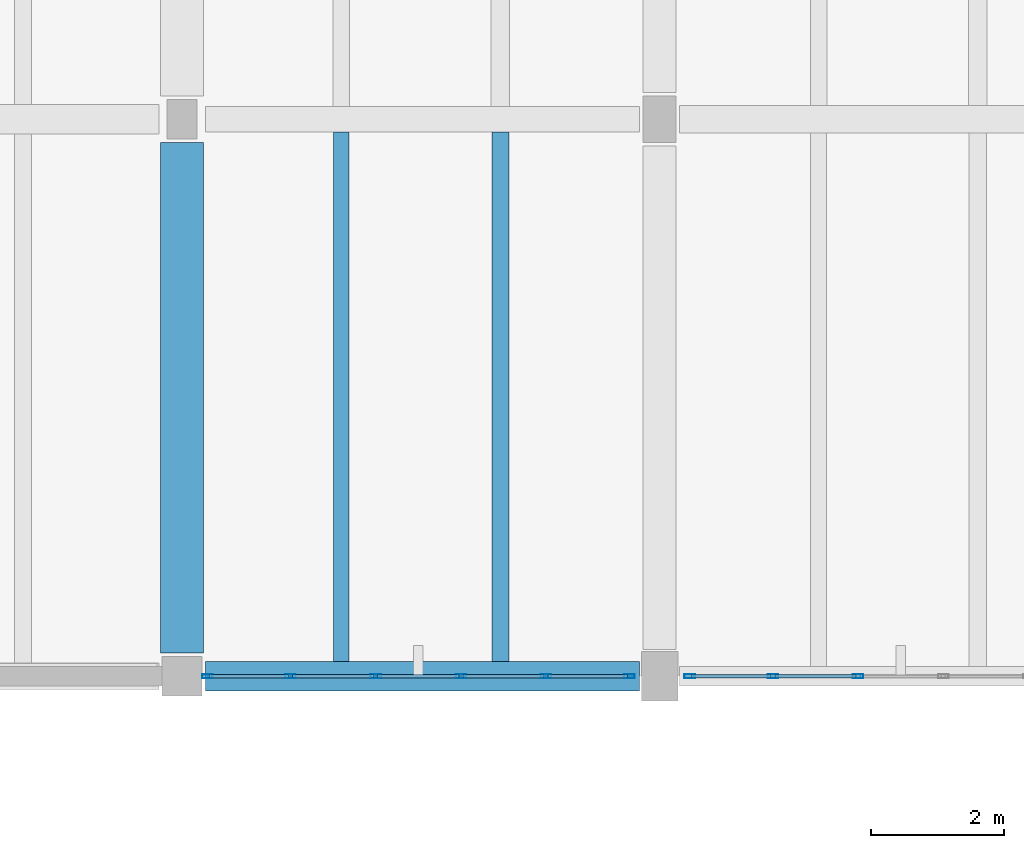
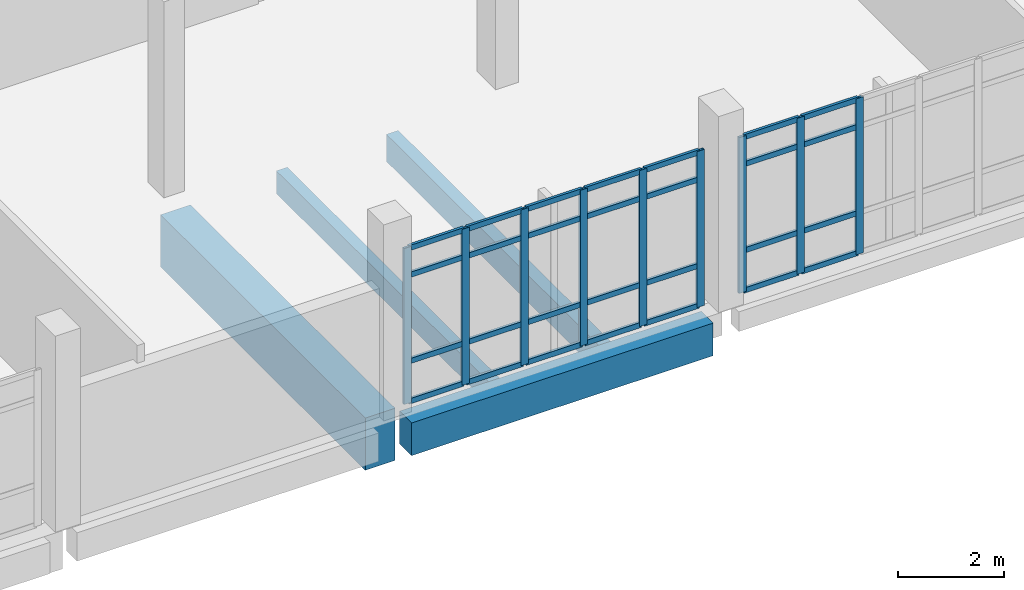
# One storey, part 33 of 62: 37 members, 4 beams, 2 elements without a shape of their own.
"""IFC4 building model written with IfcOpenShell, lengths in metres."""

from ifc_helpers import new_model, si_unit, direction, frame, origin, origin_2d, place, context, subcontext, project, spatial, rectangle, hollow_rectangle, extrude, material, material_profile, profile_set, type_object, element, aggregate, save


model = new_model("IFC4")

# Units and contexts
model_context = context("Model", 3, precision=1e-05, world=origin(), true_north=direction((0.0, 1.0)))
body_context = subcontext(model_context, "Body", "Model", "MODEL_VIEW")
ifc_project = project(units=[si_unit("LENGTHUNIT", "METRE"), si_unit("AREAUNIT", "SQUARE_METRE"), si_unit("VOLUMEUNIT", "CUBIC_METRE"), si_unit("PLANEANGLEUNIT", "RADIAN"), si_unit("MASSUNIT", "GRAM", prefix="KILO")], contexts=[model_context])

# Site, building, storey
site_placement = place(None, origin())
site = spatial("IfcSite", under=ifc_project, at=site_placement, CompositionType="ELEMENT")
building_placement = place(site_placement, origin())
building = spatial("IfcBuilding", under=site, at=building_placement, Name="Kalluvel Institute of Natural Sciences", CompositionType="ELEMENT")
storey_placement = place(building_placement, frame((0.0, 0.0, 27.89990234375)))
storey = spatial("IfcBuildingStorey", under=building, at=storey_placement, Name="L06", CompositionType="ELEMENT", Elevation=27.89990234375)

# Beams
ifc_material_1 = material(Name="Concrete M40", Category="concrete")
ifc_material_profile_1 = material_profile(ifc_material_1, rectangle(XDim=0.449951171875, YDim=0.75, at=origin_2d()), Name="RCB 450x750")
ifc_profile_set_1 = profile_set([ifc_material_profile_1], Name="Concrete M40")
beam_type_1 = type_object("IfcBeamType", Name="BM-RC450x750", PredefinedType="BEAM", material=ifc_profile_set_1)
beam_1_placement = place(storey_placement, frame((79.14990234375, 102.800048828125, -0.69482421875), z_axis=(1.0, 0.0, 0.0), x_axis=(0.0, 1.0, 0.0)))
element("IfcBeam", 1, at=beam_1_placement, inside=storey, type_object=beam_type_1, Name="L06 girder GIR-L06-EW-X788-Y1028", PredefinedType="BEAM", context=body_context, shape_type="SweptSolid", body=[
    extrude(rectangle(XDim=0.449951171875, YDim=0.75, at=origin_2d()), origin(), (0.0, 0.0, 1.0), 6.550048828125),
])
ifc_material_2 = material(Name="Concrete M50", Category="concrete")
ifc_material_profile_2 = material_profile(ifc_material_2, rectangle(XDim=0.64990234375, YDim=1.199951171875, at=origin_2d()), Name="RCB 650x1200")
ifc_profile_set_2 = profile_set([ifc_material_profile_2], Name="Concrete M50")
beam_type_2 = type_object("IfcBeamType", Name="BM-RC650x1200", PredefinedType="BEAM", material=ifc_profile_set_2)
beam_2_placement = place(storey_placement, frame((78.800048828125, 103.14990234375, -0.919921875), z_axis=(0.0, 1.0, 0.0), x_axis=(-1.0, 0.0, 0.0)))
element("IfcBeam", 2, at=beam_2_placement, inside=storey, type_object=beam_type_2, Name="L06 girder GIR-L06-NS-X788-Y1028", PredefinedType="BEAM", context=body_context, shape_type="SweptSolid", body=[
    extrude(rectangle(XDim=0.64990234375, YDim=1.199951171875, at=origin_2d()), origin(), (0.0, 0.0, 1.0), 7.7001953125),
])

# Curtain wall, members
ifc_material_3 = material(Name="Aluminium AW-6063 T6", Category="aluminium")
curtain_wall_type = type_object("IfcCurtainWallType", Name="CW-WET-45", PredefinedType="USERDEFINED", material=ifc_material_3)
curtain_wall_1_placement = place(storey_placement, origin())
curtain_wall_1 = element("IfcCurtainWall", 3, at=curtain_wall_1_placement, inside=storey, type_object=curtain_wall_type, Name="L06 Gothic lancet curtain wall CWA-L06-X792-Y1028", ObjectType="UNITISED LANCET FACADE", PredefinedType="USERDEFINED")
ifc_material_profile_3 = material_profile(ifc_material_3, hollow_rectangle(XDim=0.06005859375, YDim=0.159912109375, WallThickness=0.00390625, at=origin_2d()), Name="CWM 60x160")
ifc_profile_set_3 = profile_set([ifc_material_profile_3], Name="Aluminium AW-6063 T6")
member_type_1 = type_object("IfcMemberType", Name="CWM-60x160", PredefinedType="MULLION", material=ifc_profile_set_3)
member_1_placement = place(storey_placement, frame((79.179931640625, 102.800048828125, 0.0), z_axis=(0.0, 0.0, 1.0), x_axis=(0.0, 1.0, 0.0)))
member_1 = element("IfcMember", 4, at=member_1_placement, type_object=member_type_1, Name="CW-01 mullion 1", PredefinedType="MULLION", context=body_context, shape_type="SweptSolid", body=[
    extrude(hollow_rectangle(XDim=0.06005859375, YDim=0.159912109375, WallThickness=0.00390625, at=origin_2d()), origin(), (0.0, 0.0, 1.0), 3.580078125),
])
member_2_placement = place(storey_placement, frame((80.43505859375, 102.800048828125, 0.0), z_axis=(0.0, 0.0, 1.0), x_axis=(0.0, 1.0, 0.0)))
member_2 = element("IfcMember", 5, at=member_2_placement, type_object=member_type_1, Name="CW-01 mullion 2", PredefinedType="MULLION", context=body_context, shape_type="SweptSolid", body=[
    extrude(hollow_rectangle(XDim=0.06005859375, YDim=0.159912109375, WallThickness=0.00390625, at=origin_2d()), origin(), (0.0, 0.0, 1.0), 3.580078125),
])
member_3_placement = place(storey_placement, frame((81.719970703125, 102.800048828125, 0.0), z_axis=(0.0, 0.0, 1.0), x_axis=(0.0, 1.0, 0.0)))
member_3 = element("IfcMember", 6, at=member_3_placement, type_object=member_type_1, Name="CW-01 mullion 3", PredefinedType="MULLION", context=body_context, shape_type="SweptSolid", body=[
    extrude(hollow_rectangle(XDim=0.06005859375, YDim=0.159912109375, WallThickness=0.00390625, at=origin_2d()), origin(), (0.0, 0.0, 1.0), 3.580078125),
])
member_4_placement = place(storey_placement, frame((83.0048828125, 102.800048828125, 0.0), z_axis=(0.0, 0.0, 1.0), x_axis=(0.0, 1.0, 0.0)))
member_4 = element("IfcMember", 7, at=member_4_placement, type_object=member_type_1, Name="CW-01 mullion 4", PredefinedType="MULLION", context=body_context, shape_type="SweptSolid", body=[
    extrude(hollow_rectangle(XDim=0.06005859375, YDim=0.159912109375, WallThickness=0.00390625, at=origin_2d()), origin(), (0.0, 0.0, 1.0), 3.580078125),
])
member_5_placement = place(storey_placement, frame((84.2900390625, 102.800048828125, 0.0), z_axis=(0.0, 0.0, 1.0), x_axis=(0.0, 1.0, 0.0)))
member_5 = element("IfcMember", 8, at=member_5_placement, type_object=member_type_1, Name="CW-01 mullion 5", PredefinedType="MULLION", context=body_context, shape_type="SweptSolid", body=[
    extrude(hollow_rectangle(XDim=0.06005859375, YDim=0.159912109375, WallThickness=0.00390625, at=origin_2d()), origin(), (0.0, 0.0, 1.0), 3.580078125),
])
member_6_placement = place(storey_placement, frame((85.544921875, 102.800048828125, 0.0), z_axis=(0.0, 0.0, 1.0), x_axis=(0.0, 1.0, 0.0)))
member_6 = element("IfcMember", 9, at=member_6_placement, type_object=member_type_1, Name="CW-01 mullion 6", PredefinedType="MULLION", context=body_context, shape_type="SweptSolid", body=[
    extrude(hollow_rectangle(XDim=0.06005859375, YDim=0.159912109375, WallThickness=0.00390625, at=origin_2d()), origin(), (0.0, 0.0, 1.0), 3.580078125),
])

curtain_wall_2_placement = place(storey_placement, origin())
curtain_wall_2 = element("IfcCurtainWall", 10, at=curtain_wall_2_placement, inside=storey, type_object=curtain_wall_type, Name="L06 Gothic lancet curtain wall CWA-L06-X864-Y1028", ObjectType="UNITISED LANCET FACADE", PredefinedType="USERDEFINED")
member_7_placement = place(storey_placement, frame((86.455078125, 102.800048828125, 0.0), z_axis=(0.0, 0.0, 1.0), x_axis=(0.0, 1.0, 0.0)))
member_7 = element("IfcMember", 11, at=member_7_placement, type_object=member_type_1, Name="CW-01 mullion 1", PredefinedType="MULLION", context=body_context, shape_type="SweptSolid", body=[
    extrude(hollow_rectangle(XDim=0.06005859375, YDim=0.159912109375, WallThickness=0.00390625, at=origin_2d()), origin(), (0.0, 0.0, 1.0), 3.580078125),
])
member_8_placement = place(storey_placement, frame((87.7099609375, 102.800048828125, 0.0), z_axis=(0.0, 0.0, 1.0), x_axis=(0.0, 1.0, 0.0)))
member_8 = element("IfcMember", 12, at=member_8_placement, type_object=member_type_1, Name="CW-01 mullion 2", PredefinedType="MULLION", context=body_context, shape_type="SweptSolid", body=[
    extrude(hollow_rectangle(XDim=0.06005859375, YDim=0.159912109375, WallThickness=0.00390625, at=origin_2d()), origin(), (0.0, 0.0, 1.0), 3.580078125),
])
member_9_placement = place(storey_placement, frame((88.9951171875, 102.800048828125, 0.0), z_axis=(0.0, 0.0, 1.0), x_axis=(0.0, 1.0, 0.0)))
member_9 = element("IfcMember", 13, at=member_9_placement, type_object=member_type_1, Name="CW-01 mullion 3", PredefinedType="MULLION", context=body_context, shape_type="SweptSolid", body=[
    extrude(hollow_rectangle(XDim=0.06005859375, YDim=0.159912109375, WallThickness=0.00390625, at=origin_2d()), origin(), (0.0, 0.0, 1.0), 3.580078125),
])

# Member
ifc_material_profile_4 = material_profile(ifc_material_3, hollow_rectangle(XDim=0.06005859375, YDim=0.1201171875, WallThickness=0.00390625, at=origin_2d()), Name="CWT 60x120")
ifc_profile_set_4 = profile_set([ifc_material_profile_4], Name="Aluminium AW-6063 T6")
member_type_2 = type_object("IfcMemberType", Name="CWT-60x120", PredefinedType="USERDEFINED", material=ifc_profile_set_4)
member_10_placement = place(storey_placement, frame((79.2099609375, 102.800048828125, 0.030029296875), z_axis=(1.0, 0.0, 0.0), x_axis=(0.0, 1.0, 0.0)))
member_10 = element("IfcMember", 14, at=member_10_placement, type_object=member_type_2, Name="CW-01 transom 1.1", ObjectType="TRANSOM", PredefinedType="USERDEFINED", context=body_context, shape_type="SweptSolid", body=[
    extrude(hollow_rectangle(XDim=0.06005859375, YDim=0.1201171875, WallThickness=0.00390625, at=origin_2d()), origin(), (0.0, 0.0, 1.0), 1.195068359375),
])

member_11_placement = place(storey_placement, frame((79.2099609375, 102.800048828125, 0.9501953125), z_axis=(1.0, 0.0, 0.0), x_axis=(0.0, 1.0, 0.0)))
member_11 = element("IfcMember", 15, at=member_11_placement, type_object=member_type_2, Name="CW-01 transom 1.2", ObjectType="TRANSOM", PredefinedType="USERDEFINED", context=body_context, shape_type="SweptSolid", body=[
    extrude(hollow_rectangle(XDim=0.06005859375, YDim=0.1201171875, WallThickness=0.00390625, at=origin_2d()), origin(), (0.0, 0.0, 1.0), 1.195068359375),
])

member_12_placement = place(storey_placement, frame((79.2099609375, 102.800048828125, 2.93017578125), z_axis=(1.0, 0.0, 0.0), x_axis=(0.0, 1.0, 0.0)))
member_12 = element("IfcMember", 16, at=member_12_placement, type_object=member_type_2, Name="CW-01 transom 1.3", ObjectType="TRANSOM", PredefinedType="USERDEFINED", context=body_context, shape_type="SweptSolid", body=[
    extrude(hollow_rectangle(XDim=0.06005859375, YDim=0.1201171875, WallThickness=0.00390625, at=origin_2d()), origin(), (0.0, 0.0, 1.0), 1.195068359375),
])

member_13_placement = place(storey_placement, frame((79.2099609375, 102.800048828125, 3.550048828125), z_axis=(1.0, 0.0, 0.0), x_axis=(0.0, 1.0, 0.0)))
member_13 = element("IfcMember", 17, at=member_13_placement, type_object=member_type_2, Name="CW-01 transom 1.4", ObjectType="TRANSOM", PredefinedType="USERDEFINED", context=body_context, shape_type="SweptSolid", body=[
    extrude(hollow_rectangle(XDim=0.06005859375, YDim=0.1201171875, WallThickness=0.00390625, at=origin_2d()), origin(), (0.0, 0.0, 1.0), 1.195068359375),
])

member_14_placement = place(storey_placement, frame((80.465087890625, 102.800048828125, 0.030029296875), z_axis=(1.0, 0.0, 0.0), x_axis=(0.0, 1.0, 0.0)))
member_14 = element("IfcMember", 18, at=member_14_placement, type_object=member_type_2, Name="CW-01 transom 2.1", ObjectType="TRANSOM", PredefinedType="USERDEFINED", context=body_context, shape_type="SweptSolid", body=[
    extrude(hollow_rectangle(XDim=0.06005859375, YDim=0.1201171875, WallThickness=0.00390625, at=origin_2d()), origin(), (0.0, 0.0, 1.0), 1.224853515625),
])

member_15_placement = place(storey_placement, frame((80.465087890625, 102.800048828125, 0.9501953125), z_axis=(1.0, 0.0, 0.0), x_axis=(0.0, 1.0, 0.0)))
member_15 = element("IfcMember", 19, at=member_15_placement, type_object=member_type_2, Name="CW-01 transom 2.2", ObjectType="TRANSOM", PredefinedType="USERDEFINED", context=body_context, shape_type="SweptSolid", body=[
    extrude(hollow_rectangle(XDim=0.06005859375, YDim=0.1201171875, WallThickness=0.00390625, at=origin_2d()), origin(), (0.0, 0.0, 1.0), 1.224853515625),
])

member_16_placement = place(storey_placement, frame((80.465087890625, 102.800048828125, 2.93017578125), z_axis=(1.0, 0.0, 0.0), x_axis=(0.0, 1.0, 0.0)))
member_16 = element("IfcMember", 20, at=member_16_placement, type_object=member_type_2, Name="CW-01 transom 2.3", ObjectType="TRANSOM", PredefinedType="USERDEFINED", context=body_context, shape_type="SweptSolid", body=[
    extrude(hollow_rectangle(XDim=0.06005859375, YDim=0.1201171875, WallThickness=0.00390625, at=origin_2d()), origin(), (0.0, 0.0, 1.0), 1.224853515625),
])

member_17_placement = place(storey_placement, frame((80.465087890625, 102.800048828125, 3.550048828125), z_axis=(1.0, 0.0, 0.0), x_axis=(0.0, 1.0, 0.0)))
member_17 = element("IfcMember", 21, at=member_17_placement, type_object=member_type_2, Name="CW-01 transom 2.4", ObjectType="TRANSOM", PredefinedType="USERDEFINED", context=body_context, shape_type="SweptSolid", body=[
    extrude(hollow_rectangle(XDim=0.06005859375, YDim=0.1201171875, WallThickness=0.00390625, at=origin_2d()), origin(), (0.0, 0.0, 1.0), 1.224853515625),
])

member_18_placement = place(storey_placement, frame((81.75, 102.800048828125, 0.030029296875), z_axis=(1.0, 0.0, 0.0), x_axis=(0.0, 1.0, 0.0)))
member_18 = element("IfcMember", 22, at=member_18_placement, type_object=member_type_2, Name="CW-01 transom 3.1", ObjectType="TRANSOM", PredefinedType="USERDEFINED", context=body_context, shape_type="SweptSolid", body=[
    extrude(hollow_rectangle(XDim=0.06005859375, YDim=0.1201171875, WallThickness=0.00390625, at=origin_2d()), origin(), (0.0, 0.0, 1.0), 1.22509765625),
])

member_19_placement = place(storey_placement, frame((81.75, 102.800048828125, 0.9501953125), z_axis=(1.0, 0.0, 0.0), x_axis=(0.0, 1.0, 0.0)))
member_19 = element("IfcMember", 23, at=member_19_placement, type_object=member_type_2, Name="CW-01 transom 3.2", ObjectType="TRANSOM", PredefinedType="USERDEFINED", context=body_context, shape_type="SweptSolid", body=[
    extrude(hollow_rectangle(XDim=0.06005859375, YDim=0.1201171875, WallThickness=0.00390625, at=origin_2d()), origin(), (0.0, 0.0, 1.0), 1.22509765625),
])

member_20_placement = place(storey_placement, frame((81.75, 102.800048828125, 2.93017578125), z_axis=(1.0, 0.0, 0.0), x_axis=(0.0, 1.0, 0.0)))
member_20 = element("IfcMember", 24, at=member_20_placement, type_object=member_type_2, Name="CW-01 transom 3.3", ObjectType="TRANSOM", PredefinedType="USERDEFINED", context=body_context, shape_type="SweptSolid", body=[
    extrude(hollow_rectangle(XDim=0.06005859375, YDim=0.1201171875, WallThickness=0.00390625, at=origin_2d()), origin(), (0.0, 0.0, 1.0), 1.22509765625),
])

member_21_placement = place(storey_placement, frame((81.75, 102.800048828125, 3.550048828125), z_axis=(1.0, 0.0, 0.0), x_axis=(0.0, 1.0, 0.0)))
member_21 = element("IfcMember", 25, at=member_21_placement, type_object=member_type_2, Name="CW-01 transom 3.4", ObjectType="TRANSOM", PredefinedType="USERDEFINED", context=body_context, shape_type="SweptSolid", body=[
    extrude(hollow_rectangle(XDim=0.06005859375, YDim=0.1201171875, WallThickness=0.00390625, at=origin_2d()), origin(), (0.0, 0.0, 1.0), 1.22509765625),
])

member_22_placement = place(storey_placement, frame((83.034912109375, 102.800048828125, 0.030029296875), z_axis=(1.0, 0.0, 0.0), x_axis=(0.0, 1.0, 0.0)))
member_22 = element("IfcMember", 26, at=member_22_placement, type_object=member_type_2, Name="CW-01 transom 4.1", ObjectType="TRANSOM", PredefinedType="USERDEFINED", context=body_context, shape_type="SweptSolid", body=[
    extrude(hollow_rectangle(XDim=0.06005859375, YDim=0.1201171875, WallThickness=0.00390625, at=origin_2d()), origin(), (0.0, 0.0, 1.0), 1.22509765625),
])

member_23_placement = place(storey_placement, frame((83.034912109375, 102.800048828125, 0.9501953125), z_axis=(1.0, 0.0, 0.0), x_axis=(0.0, 1.0, 0.0)))
member_23 = element("IfcMember", 27, at=member_23_placement, type_object=member_type_2, Name="CW-01 transom 4.2", ObjectType="TRANSOM", PredefinedType="USERDEFINED", context=body_context, shape_type="SweptSolid", body=[
    extrude(hollow_rectangle(XDim=0.06005859375, YDim=0.1201171875, WallThickness=0.00390625, at=origin_2d()), origin(), (0.0, 0.0, 1.0), 1.22509765625),
])

member_24_placement = place(storey_placement, frame((83.034912109375, 102.800048828125, 2.93017578125), z_axis=(1.0, 0.0, 0.0), x_axis=(0.0, 1.0, 0.0)))
member_24 = element("IfcMember", 28, at=member_24_placement, type_object=member_type_2, Name="CW-01 transom 4.3", ObjectType="TRANSOM", PredefinedType="USERDEFINED", context=body_context, shape_type="SweptSolid", body=[
    extrude(hollow_rectangle(XDim=0.06005859375, YDim=0.1201171875, WallThickness=0.00390625, at=origin_2d()), origin(), (0.0, 0.0, 1.0), 1.22509765625),
])

member_25_placement = place(storey_placement, frame((83.034912109375, 102.800048828125, 3.550048828125), z_axis=(1.0, 0.0, 0.0), x_axis=(0.0, 1.0, 0.0)))
member_25 = element("IfcMember", 29, at=member_25_placement, type_object=member_type_2, Name="CW-01 transom 4.4", ObjectType="TRANSOM", PredefinedType="USERDEFINED", context=body_context, shape_type="SweptSolid", body=[
    extrude(hollow_rectangle(XDim=0.06005859375, YDim=0.1201171875, WallThickness=0.00390625, at=origin_2d()), origin(), (0.0, 0.0, 1.0), 1.22509765625),
])

member_26_placement = place(storey_placement, frame((84.320068359375, 102.800048828125, 0.030029296875), z_axis=(1.0, 0.0, 0.0), x_axis=(0.0, 1.0, 0.0)))
member_26 = element("IfcMember", 30, at=member_26_placement, type_object=member_type_2, Name="CW-01 transom 5.1", ObjectType="TRANSOM", PredefinedType="USERDEFINED", context=body_context, shape_type="SweptSolid", body=[
    extrude(hollow_rectangle(XDim=0.06005859375, YDim=0.1201171875, WallThickness=0.00390625, at=origin_2d()), origin(), (0.0, 0.0, 1.0), 1.19482421875),
])

member_27_placement = place(storey_placement, frame((84.320068359375, 102.800048828125, 0.9501953125), z_axis=(1.0, 0.0, 0.0), x_axis=(0.0, 1.0, 0.0)))
member_27 = element("IfcMember", 31, at=member_27_placement, type_object=member_type_2, Name="CW-01 transom 5.2", ObjectType="TRANSOM", PredefinedType="USERDEFINED", context=body_context, shape_type="SweptSolid", body=[
    extrude(hollow_rectangle(XDim=0.06005859375, YDim=0.1201171875, WallThickness=0.00390625, at=origin_2d()), origin(), (0.0, 0.0, 1.0), 1.19482421875),
])

member_28_placement = place(storey_placement, frame((84.320068359375, 102.800048828125, 2.93017578125), z_axis=(1.0, 0.0, 0.0), x_axis=(0.0, 1.0, 0.0)))
member_28 = element("IfcMember", 32, at=member_28_placement, type_object=member_type_2, Name="CW-01 transom 5.3", ObjectType="TRANSOM", PredefinedType="USERDEFINED", context=body_context, shape_type="SweptSolid", body=[
    extrude(hollow_rectangle(XDim=0.06005859375, YDim=0.1201171875, WallThickness=0.00390625, at=origin_2d()), origin(), (0.0, 0.0, 1.0), 1.19482421875),
])

member_29_placement = place(storey_placement, frame((84.320068359375, 102.800048828125, 3.550048828125), z_axis=(1.0, 0.0, 0.0), x_axis=(0.0, 1.0, 0.0)))
member_29 = element("IfcMember", 33, at=member_29_placement, type_object=member_type_2, Name="CW-01 transom 5.4", ObjectType="TRANSOM", PredefinedType="USERDEFINED", context=body_context, shape_type="SweptSolid", body=[
    extrude(hollow_rectangle(XDim=0.06005859375, YDim=0.1201171875, WallThickness=0.00390625, at=origin_2d()), origin(), (0.0, 0.0, 1.0), 1.19482421875),
])

aggregate(curtain_wall_1, [member_1, member_2, member_3, member_4, member_5, member_6, member_10, member_11, member_12, member_13, member_14, member_15, member_16, member_17, member_18, member_19, member_20, member_21, member_22, member_23, member_24, member_25, member_26, member_27, member_28, member_29])

member_30_placement = place(storey_placement, frame((86.485107421875, 102.800048828125, 0.030029296875), z_axis=(1.0, 0.0, 0.0), x_axis=(0.0, 1.0, 0.0)))
member_30 = element("IfcMember", 34, at=member_30_placement, type_object=member_type_2, Name="CW-01 transom 1.1", ObjectType="TRANSOM", PredefinedType="USERDEFINED", context=body_context, shape_type="SweptSolid", body=[
    extrude(hollow_rectangle(XDim=0.06005859375, YDim=0.1201171875, WallThickness=0.00390625, at=origin_2d()), origin(), (0.0, 0.0, 1.0), 1.19482421875),
])

member_31_placement = place(storey_placement, frame((86.485107421875, 102.800048828125, 0.9501953125), z_axis=(1.0, 0.0, 0.0), x_axis=(0.0, 1.0, 0.0)))
member_31 = element("IfcMember", 35, at=member_31_placement, type_object=member_type_2, Name="CW-01 transom 1.2", ObjectType="TRANSOM", PredefinedType="USERDEFINED", context=body_context, shape_type="SweptSolid", body=[
    extrude(hollow_rectangle(XDim=0.06005859375, YDim=0.1201171875, WallThickness=0.00390625, at=origin_2d()), origin(), (0.0, 0.0, 1.0), 1.19482421875),
])

member_32_placement = place(storey_placement, frame((86.485107421875, 102.800048828125, 2.93017578125), z_axis=(1.0, 0.0, 0.0), x_axis=(0.0, 1.0, 0.0)))
member_32 = element("IfcMember", 36, at=member_32_placement, type_object=member_type_2, Name="CW-01 transom 1.3", ObjectType="TRANSOM", PredefinedType="USERDEFINED", context=body_context, shape_type="SweptSolid", body=[
    extrude(hollow_rectangle(XDim=0.06005859375, YDim=0.1201171875, WallThickness=0.00390625, at=origin_2d()), origin(), (0.0, 0.0, 1.0), 1.19482421875),
])

member_33_placement = place(storey_placement, frame((86.485107421875, 102.800048828125, 3.550048828125), z_axis=(1.0, 0.0, 0.0), x_axis=(0.0, 1.0, 0.0)))
member_33 = element("IfcMember", 37, at=member_33_placement, type_object=member_type_2, Name="CW-01 transom 1.4", ObjectType="TRANSOM", PredefinedType="USERDEFINED", context=body_context, shape_type="SweptSolid", body=[
    extrude(hollow_rectangle(XDim=0.06005859375, YDim=0.1201171875, WallThickness=0.00390625, at=origin_2d()), origin(), (0.0, 0.0, 1.0), 1.19482421875),
])

member_34_placement = place(storey_placement, frame((87.739990234375, 102.800048828125, 0.030029296875), z_axis=(1.0, 0.0, 0.0), x_axis=(0.0, 1.0, 0.0)))
member_34 = element("IfcMember", 38, at=member_34_placement, type_object=member_type_2, Name="CW-01 transom 2.1", ObjectType="TRANSOM", PredefinedType="USERDEFINED", context=body_context, shape_type="SweptSolid", body=[
    extrude(hollow_rectangle(XDim=0.06005859375, YDim=0.1201171875, WallThickness=0.00390625, at=origin_2d()), origin(), (0.0, 0.0, 1.0), 1.22509765625),
])

member_35_placement = place(storey_placement, frame((87.739990234375, 102.800048828125, 0.9501953125), z_axis=(1.0, 0.0, 0.0), x_axis=(0.0, 1.0, 0.0)))
member_35 = element("IfcMember", 39, at=member_35_placement, type_object=member_type_2, Name="CW-01 transom 2.2", ObjectType="TRANSOM", PredefinedType="USERDEFINED", context=body_context, shape_type="SweptSolid", body=[
    extrude(hollow_rectangle(XDim=0.06005859375, YDim=0.1201171875, WallThickness=0.00390625, at=origin_2d()), origin(), (0.0, 0.0, 1.0), 1.22509765625),
])

member_36_placement = place(storey_placement, frame((87.739990234375, 102.800048828125, 2.93017578125), z_axis=(1.0, 0.0, 0.0), x_axis=(0.0, 1.0, 0.0)))
member_36 = element("IfcMember", 40, at=member_36_placement, type_object=member_type_2, Name="CW-01 transom 2.3", ObjectType="TRANSOM", PredefinedType="USERDEFINED", context=body_context, shape_type="SweptSolid", body=[
    extrude(hollow_rectangle(XDim=0.06005859375, YDim=0.1201171875, WallThickness=0.00390625, at=origin_2d()), origin(), (0.0, 0.0, 1.0), 1.22509765625),
])

member_37_placement = place(storey_placement, frame((87.739990234375, 102.800048828125, 3.550048828125), z_axis=(1.0, 0.0, 0.0), x_axis=(0.0, 1.0, 0.0)))
member_37 = element("IfcMember", 41, at=member_37_placement, type_object=member_type_2, Name="CW-01 transom 2.4", ObjectType="TRANSOM", PredefinedType="USERDEFINED", context=body_context, shape_type="SweptSolid", body=[
    extrude(hollow_rectangle(XDim=0.06005859375, YDim=0.1201171875, WallThickness=0.00390625, at=origin_2d()), origin(), (0.0, 0.0, 1.0), 1.22509765625),
])

aggregate(curtain_wall_2, [member_7, member_8, member_9, member_30, member_31, member_32, member_33, member_34, member_35, member_36, member_37])

# Beams
ifc_material_profile_5 = material_profile(ifc_material_1, rectangle(XDim=0.239990234375, YDim=0.52001953125, at=origin_2d()), Name="WAF 240x520")
ifc_profile_set_5 = profile_set([ifc_material_profile_5], Name="Concrete M40")
beam_type_3 = type_object("IfcBeamType", Name="WJ-240x520", PredefinedType="JOIST", material=ifc_profile_set_5)
beam_3_placement = place(storey_placement, frame((81.199951171875, 103.02490234375, -0.579833984375), z_axis=(0.0, 1.0, 0.0), x_axis=(-1.0, 0.0, 0.0)))
element("IfcBeam", 42, at=beam_3_placement, inside=storey, type_object=beam_type_3, Name="L06 waffle joist RIB-L06-0488", PredefinedType="JOIST", context=body_context, shape_type="SweptSolid", body=[
    extrude(rectangle(XDim=0.239990234375, YDim=0.52001953125, at=origin_2d()), origin(), (0.0, 0.0, 1.0), 7.985107421875),
])
ifc_material_profile_6 = material_profile(ifc_material_2, rectangle(XDim=0.260009765625, YDim=0.6201171875, at=origin_2d()), Name="WAF 260x620")
ifc_profile_set_6 = profile_set([ifc_material_profile_6], Name="Concrete M50")
beam_type_4 = type_object("IfcBeamType", Name="WJ-260x620", PredefinedType="JOIST", material=ifc_profile_set_6)
beam_4_placement = place(storey_placement, frame((83.60009765625, 103.02490234375, -0.6298828125), z_axis=(0.0, 1.0, 0.0), x_axis=(-1.0, 0.0, 0.0)))
element("IfcBeam", 43, at=beam_4_placement, inside=storey, type_object=beam_type_4, Name="L06 waffle joist RIB-L06-0489", PredefinedType="JOIST", context=body_context, shape_type="SweptSolid", body=[
    extrude(rectangle(XDim=0.260009765625, YDim=0.6201171875, at=origin_2d()), origin(), (0.0, 0.0, 1.0), 7.985107421875),
])

save(model, "model.ifc")
